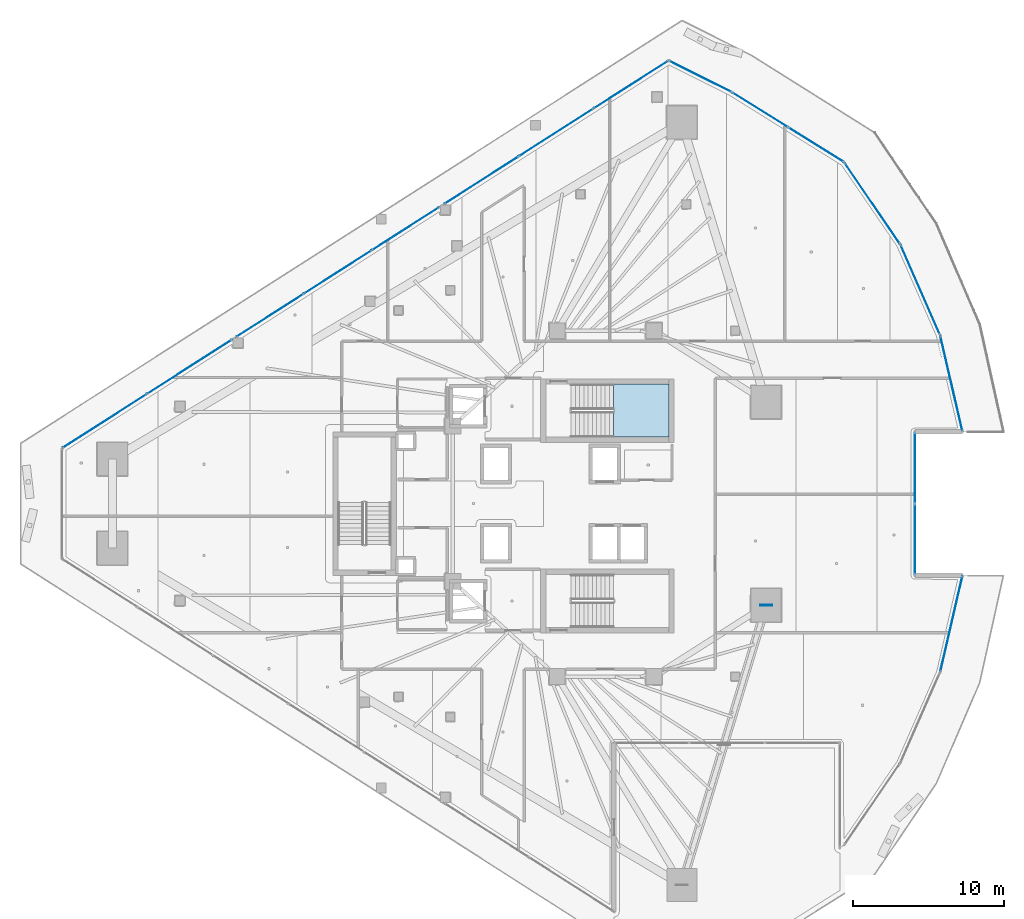
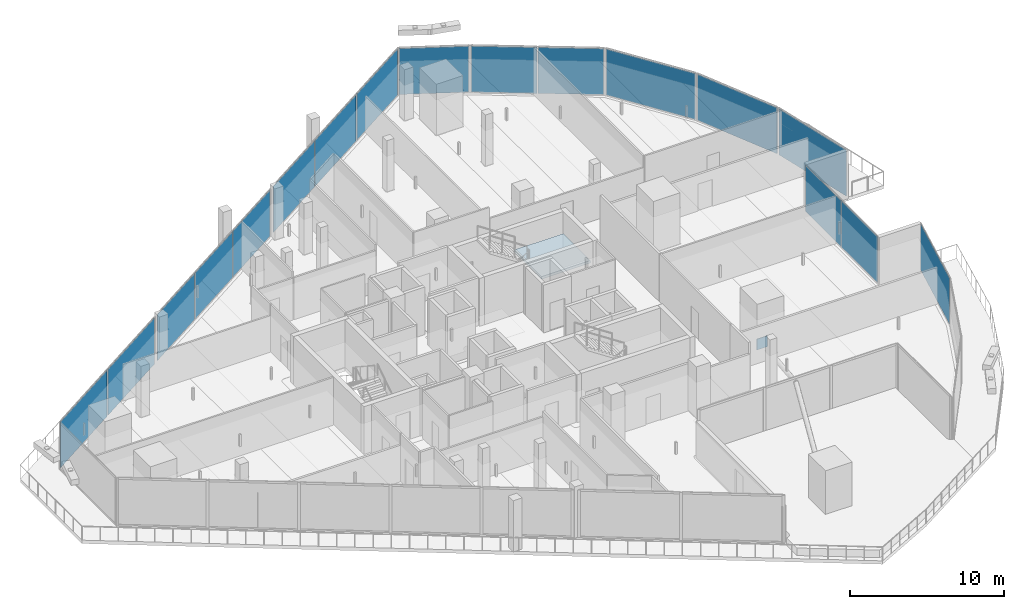
# One storey, part 25 of 38: 18 plates, 1 slab, 11 elements without a shape of their own.
"""IFC4 building model written with IfcOpenShell, lengths in metres."""

import ifcopenshell
import ifcopenshell.guid

model = None  # the IFC model being written
_history = None  # IfcOwnerHistory: only IFC2X3 demands one
_inside = {}  # id of a spatial element -> (the spatial element, [elements in it])
_under = {}  # id of a project, library or spatial element -> (it, [spatial elements below it])
_declared = {}  # id of a project -> (the project, [libraries it declares])
_typed = {}  # id of a type object -> (the type object, [elements of that type])
_made_of = {}  # id of a material, layer set ... -> (it, [elements and type objects made of it])


def new_model(schema):
    """Start an empty IFC model of exactly this schema.

    Asked for "IFC4X3", IfcOpenShell would pick the latest addendum, in which some entities
    have other attributes; the version numbers below select the first issue.
    IFC2X3 requires an IfcOwnerHistory on every rooted entity: one is made here for all.
    """
    global model, _history
    if schema == "IFC4X3":
        model = ifcopenshell.file(schema_version=(4, 3, 0, 0))
    else:
        model = ifcopenshell.file(schema=schema)
    _inside.clear()
    _under.clear()
    _declared.clear()
    _typed.clear()
    _made_of.clear()
    _history = None
    if model.schema == "IFC2X3":
        org = make("IfcOrganization", Name="unknown")
        user = make(
            "IfcPersonAndOrganization",
            ThePerson=make("IfcPerson", FamilyName="unknown"),
            TheOrganization=org,
        )
        app = make(
            "IfcApplication",
            ApplicationDeveloper=org,
            Version="unknown",
            ApplicationFullName="unknown",
            ApplicationIdentifier="unknown",
        )
        _history = make(
            "IfcOwnerHistory",
            OwningUser=user,
            OwningApplication=app,
            ChangeAction="ADDED",
            CreationDate=0,
        )
    return model


def make(cls, **values):
    """One entity of the class cls with the attributes given. An attribute that is None is left unset."""
    return model.create_entity(
        cls, **{name: value for name, value in values.items() if value is not None}
    )


def rooted(cls, **values):
    """An entity with a GlobalId (a new one), such as an element, a storey or a relation."""
    return make(cls, GlobalId=ifcopenshell.guid.new(), OwnerHistory=_history, **values)


def si_unit(unit_type, name, prefix=None):
    """IfcSIUnit, for example si_unit("LENGTHUNIT", "METRE", prefix="MILLI")."""
    return make("IfcSIUnit", UnitType=unit_type, Prefix=prefix, Name=name)


def assignment(units):
    """IfcUnitAssignment: the units of a project."""
    return None if units is None else make("IfcUnitAssignment", Units=units)


def point(xyz):
    """IfcCartesianPoint."""
    return None if xyz is None else make("IfcCartesianPoint", Coordinates=xyz)


def direction(xyz):
    """IfcDirection."""
    return None if xyz is None else make("IfcDirection", DirectionRatios=xyz)


def frame(location, z_axis=None, x_axis=None):
    """IfcAxis2Placement3D, a coordinate frame: its origin and axes. An axis left out is left unset."""
    return make(
        "IfcAxis2Placement3D",
        Location=point(location),
        Axis=direction(z_axis),
        RefDirection=direction(x_axis),
    )


def frame_2d(location, x_axis=None):
    """IfcAxis2Placement2D, a coordinate frame in the plane: its origin and x axis."""
    return make(
        "IfcAxis2Placement2D", Location=point(location), RefDirection=direction(x_axis)
    )


def origin():
    """The frame at (0, 0, 0) with its axes left unset."""
    return frame((0.0, 0.0, 0.0))


def origin_2d():
    """The frame at (0, 0) in the plane with its x axis left unset."""
    return frame_2d((0.0, 0.0))


def place(relative_to, where):
    """IfcLocalPlacement: puts the frame where relative to a parent placement (None: the world)."""
    return make(
        "IfcLocalPlacement", PlacementRelTo=relative_to, RelativePlacement=where
    )


def context(
    kind, dimensions, precision=None, world=None, true_north=None, identifier=None
):
    """IfcGeometricRepresentationContext, for example the 3D "Model" context."""
    return make(
        "IfcGeometricRepresentationContext",
        ContextIdentifier=identifier,
        ContextType=kind,
        CoordinateSpaceDimension=dimensions,
        Precision=precision,
        WorldCoordinateSystem=world,
        TrueNorth=true_north,
    )


def subcontext(parent, identifier, kind, view, scale=None):
    """IfcGeometricRepresentationSubContext, for example "Body" below "Model"."""
    return make(
        "IfcGeometricRepresentationSubContext",
        ContextIdentifier=identifier,
        ContextType=kind,
        ParentContext=parent,
        TargetScale=scale,
        TargetView=view,
    )


def project(units=None, contexts=None):
    """IfcProject with its units and contexts."""
    return rooted(
        "IfcProject",
        Name="project",
        RepresentationContexts=contexts,
        UnitsInContext=assignment(units),
    )


def spatial(cls, under=None, at=None, **own):
    """A site, building, storey or space (cls), placed at a placement, below another one or the project."""
    s = rooted(cls, ObjectPlacement=at, **own)
    if under is not None:
        _under.setdefault(under.id(), (under, []))[1].append(s)
    return s


def polyline(points):
    """IfcPolyline through the points."""
    return make("IfcPolyline", Points=[point(p) for p in points])


def profile(cls, at=None, kind="AREA", **sizes):
    """A parametric profile (cls). Its sizes go by their IFC names, for example OverallWidth=200.0."""
    return make(cls, ProfileType=kind, Position=at, **sizes)


def rectangle(**sizes):
    """IfcRectangleProfileDef."""
    return profile("IfcRectangleProfileDef", **sizes)


def outline(outer, holes=None, kind="AREA"):
    """IfcArbitraryClosedProfileDef: a profile drawn as a closed curve; with holes, ...WithVoids."""
    if holes is None:
        return make("IfcArbitraryClosedProfileDef", ProfileType=kind, OuterCurve=outer)
    return make(
        "IfcArbitraryProfileDefWithVoids",
        ProfileType=kind,
        OuterCurve=outer,
        InnerCurves=holes,
    )


def extrude(swept, where, along, depth):
    """IfcExtrudedAreaSolid: the profile swept, set in the frame where, extruded along a direction by depth."""
    return make(
        "IfcExtrudedAreaSolid",
        SweptArea=swept,
        Position=where,
        ExtrudedDirection=direction(along),
        Depth=depth,
    )


def shape(context_of_items, identifier, shape_type, items):
    """IfcShapeRepresentation: the items that make up one representation, for example the "Body"."""
    return make(
        "IfcShapeRepresentation",
        ContextOfItems=context_of_items,
        RepresentationIdentifier=identifier,
        RepresentationType=shape_type,
        Items=items,
    )


def material(Name=None, Category=None):
    """IfcMaterial."""
    return make("IfcMaterial", Name=Name, Category=Category)


def layer(
    of_material, thickness, ventilated=None, Name=None, Category=None, Priority=None
):
    """IfcMaterialLayer: one layer of a wall or slab, of a material (None: an air gap)."""
    return make(
        "IfcMaterialLayer",
        Material=of_material,
        LayerThickness=thickness,
        IsVentilated=ventilated,
        Name=Name,
        Category=Category,
        Priority=Priority,
    )


def layer_set(layers, Name=None):
    """IfcMaterialLayerSet."""
    return make("IfcMaterialLayerSet", MaterialLayers=layers, LayerSetName=Name)


def made_of(thing, what):
    """Note that an element or type object is made of a material, layer set ...; save() writes the relation."""
    if what is not None:
        _made_of.setdefault(what.id(), (what, []))[1].append(thing)
    return thing


def type_object(cls, material=None, **own):
    """A type object (cls), such as IfcWallType, which elements share."""
    return made_of(rooted(cls, **own), material)


def element(
    cls,
    number,
    at=None,
    inside=None,
    cuts=None,
    type_object=None,
    material=None,
    context=None,
    identifier="Body",
    shape_type=None,
    held_by="IfcProductDefinitionShape",
    body=None,
    shapes=None,
    **own,
):
    """One element of the class cls, such as IfcWall. Its Tag is "e" and its number.

    at: its placement. inside: the storey or other place that contains it. cuts: it is an
    opening in that element (IfcRelVoidsElement). A single representation is given by context,
    identifier, shape_type and body (its items); several are given by shapes. held_by: the class
    of the entity that holds the representations. save() writes the other relations.
    """
    e = rooted(cls, Tag="e%d" % number, ObjectPlacement=at, **own)
    if body is not None:
        shapes = [shape(context, identifier, shape_type, body)]
    if shapes is not None:
        e.Representation = make(held_by, Representations=shapes)
    if inside is not None:
        _inside.setdefault(inside.id(), (inside, []))[1].append(e)
    if cuts is not None:
        rooted(
            "IfcRelVoidsElement", RelatingBuildingElement=cuts, RelatedOpeningElement=e
        )
    if type_object is not None:
        _typed.setdefault(type_object.id(), (type_object, []))[1].append(e)
    return made_of(e, material)


def aggregate(whole, parts):
    """IfcRelAggregates: a whole, such as a stair, and the parts it consists of."""
    return rooted("IfcRelAggregates", RelatingObject=whole, RelatedObjects=parts)


def save(model, path):
    """Write the relations noted so far, then the file.

    IfcRelAggregates (storeys below a building ...), IfcRelContainedInSpatialStructure (elements
    in a storey), IfcRelDefinesByType, IfcRelAssociatesMaterial and IfcRelDeclares: one each for
    every whole, place, type object, material and project.
    """
    for whole, parts in _under.values():
        aggregate(whole, parts)
    for where, things in _inside.values():
        rooted(
            "IfcRelContainedInSpatialStructure",
            RelatedElements=things,
            RelatingStructure=where,
        )
    for kind, things in _typed.values():
        rooted("IfcRelDefinesByType", RelatedObjects=things, RelatingType=kind)
    for what, things in _made_of.values():
        rooted("IfcRelAssociatesMaterial", RelatedObjects=things, RelatingMaterial=what)
    for by, libraries in _declared.values():
        rooted("IfcRelDeclares", RelatingContext=by, RelatedDefinitions=libraries)
    model.write(path)


model = new_model("IFC4")

# Units and contexts
model_context = context("Model", 3, precision=1e-05, world=origin(), true_north=direction((0.0, 1.0)))
body_context = subcontext(model_context, "Body", "Model", "MODEL_VIEW")
ifc_project = project(units=[si_unit("LENGTHUNIT", "METRE"), si_unit("AREAUNIT", "SQUARE_METRE"), si_unit("VOLUMEUNIT", "CUBIC_METRE"), si_unit("PLANEANGLEUNIT", "RADIAN"), si_unit("MASSUNIT", "GRAM", prefix="KILO")], contexts=[model_context])

# Site, building, storey
site_placement = place(None, origin())
site = spatial("IfcSite", under=ifc_project, at=site_placement, CompositionType="ELEMENT")
building_placement = place(site_placement, origin())
building = spatial("IfcBuilding", under=site, at=building_placement, Name="Qorvath Tower", CompositionType="ELEMENT")
storey_placement = place(building_placement, frame((0.0, 0.0, 158.39990234375)))
storey = spatial("IfcBuildingStorey", under=building, at=storey_placement, Name="L36", CompositionType="ELEMENT", Elevation=158.39990234375)

# Curtain wall, plate
ifc_material_1 = material(Name="Anodised aluminium and triple low-E glass", Category="aluminium")
ifc_layer_1 = layer(ifc_material_1, 0.179931640625)
ifc_layer_set_1 = layer_set([ifc_layer_1], Name="CW-SYS-5")
curtain_wall_type = type_object("IfcCurtainWallType", Name="CW-SYS-5", PredefinedType="NOTDEFINED", material=ifc_layer_set_1)
curtain_wall_1_placement = place(storey_placement, origin())
curtain_wall_1 = element("IfcCurtainWall", 1, at=curtain_wall_1_placement, inside=storey, type_object=curtain_wall_type, Name="Curtain Wall CW-5 CW-T-L36-7.1", PredefinedType="NOTDEFINED")
ifc_material_2 = material(Name="Low-E triple insulated glass", Category="glass")
ifc_layer_2 = layer(ifc_material_2, 0.031982421875)
ifc_layer_set_2 = layer_set([ifc_layer_2], Name="CWP-GLZ-32")
plate_type_1 = type_object("IfcPlateType", Name="CWP-GLZ-32", PredefinedType="CURTAIN_PANEL", material=ifc_layer_set_2)
plate_1_placement = place(storey_placement, frame((2.50439453125, -7.95263671875, 0.06494140625), z_axis=(0.0, 0.0, 1.0), x_axis=(0.225758614319, 0.974183272316, 0.0)))
plate_1 = element("IfcPlate", 2, at=plate_1_placement, type_object=plate_type_1, Name="CW-5 panel 1.1", PredefinedType="CURTAIN_PANEL", context=body_context, shape_type="SweptSolid", body=[
    extrude(rectangle(XDim=6.420654296875, YDim=0.031982421875, at=origin_2d()), origin(), (0.0, 0.0, 1.0), 3.64990234375),
])
aggregate(curtain_wall_1, [plate_1])

# Curtain wall, plates
curtain_wall_2_placement = place(storey_placement, origin())
curtain_wall_2 = element("IfcCurtainWall", 3, at=curtain_wall_2_placement, inside=storey, type_object=curtain_wall_type, Name="Curtain Wall CW-5 CW-T-L36-9.1", PredefinedType="NOTDEFINED")
plate_2_placement = place(storey_placement, frame((0.077880859375, -2.357177734375, 0.06494140625), z_axis=(0.0, 0.0, 1.0), x_axis=(0.0, 1.0, 0.0)))
plate_2 = element("IfcPlate", 4, at=plate_2_placement, type_object=plate_type_1, Name="CW-5 panel 1.1", PredefinedType="CURTAIN_PANEL", context=body_context, shape_type="SweptSolid", body=[
    extrude(rectangle(XDim=4.639404296875, YDim=0.031982421875, at=origin_2d()), origin(), (0.0, 0.0, 1.0), 3.64990234375),
])
plate_3_placement = place(storey_placement, frame((0.077880859375, 2.357177734375, 0.06494140625), z_axis=(0.0, 0.0, 1.0), x_axis=(0.0, 1.0, 0.0)))
plate_3 = element("IfcPlate", 5, at=plate_3_placement, type_object=plate_type_1, Name="CW-5 panel 2.1", PredefinedType="CURTAIN_PANEL", context=body_context, shape_type="SweptSolid", body=[
    extrude(rectangle(XDim=4.639404296875, YDim=0.031982421875, at=origin_2d()), origin(), (0.0, 0.0, 1.0), 3.64990234375),
])
aggregate(curtain_wall_2, [plate_2, plate_3])

# Curtain wall, plate
curtain_wall_3_placement = place(storey_placement, origin())
curtain_wall_3 = element("IfcCurtainWall", 6, at=curtain_wall_3_placement, inside=storey, type_object=curtain_wall_type, Name="Curtain Wall CW-5 CW-T-L36-11.1", PredefinedType="NOTDEFINED")
plate_4_placement = place(storey_placement, frame((2.50439453125, 7.95263671875, 0.06494140625), z_axis=(0.0, 0.0, 1.0), x_axis=(-0.225758614319, 0.974183272316, 0.0)))
plate_4 = element("IfcPlate", 7, at=plate_4_placement, type_object=plate_type_1, Name="CW-5 panel 1.1", PredefinedType="CURTAIN_PANEL", context=body_context, shape_type="SweptSolid", body=[
    extrude(rectangle(XDim=6.420654296875, YDim=0.031982421875, at=origin_2d()), origin(), (0.0, 0.0, 1.0), 3.64990234375),
])
aggregate(curtain_wall_3, [plate_4])

curtain_wall_4_placement = place(storey_placement, origin())
curtain_wall_4 = element("IfcCurtainWall", 8, at=curtain_wall_4_placement, inside=storey, type_object=curtain_wall_type, Name="Curtain Wall CW-5 CW-T-L36-12.1", PredefinedType="NOTDEFINED")
plate_5_placement = place(storey_placement, frame((0.442138671875, 14.161376953125, 0.06494140625), z_axis=(0.0, 0.0, 1.0), x_axis=(-0.401947425802, 0.915662747354, 0.0)))
plate_5 = element("IfcPlate", 9, at=plate_5_placement, type_object=plate_type_1, Name="CW-5 panel 1.1", PredefinedType="CURTAIN_PANEL", context=body_context, shape_type="SweptSolid", body=[
    extrude(rectangle(XDim=6.420654296875, YDim=0.031982421875, at=origin_2d()), origin(), (0.0, 0.0, 1.0), 3.64990234375),
])
aggregate(curtain_wall_4, [plate_5])

curtain_wall_5_placement = place(storey_placement, origin())
curtain_wall_5 = element("IfcCurtainWall", 10, at=curtain_wall_5_placement, inside=storey, type_object=curtain_wall_type, Name="Curtain Wall CW-5 CW-T-L36-13.1", PredefinedType="NOTDEFINED")
plate_6_placement = place(storey_placement, frame((-2.732421875, 19.8818359375, 0.06494140625), z_axis=(0.0, 0.0, 1.0), x_axis=(-0.564314480802, 0.825559911065, 0.0)))
plate_6 = element("IfcPlate", 11, at=plate_6_placement, type_object=plate_type_1, Name="CW-5 panel 1.1", PredefinedType="CURTAIN_PANEL", context=body_context, shape_type="SweptSolid", body=[
    extrude(rectangle(XDim=6.42041015625, YDim=0.031982421875, at=origin_2d()), origin(), (0.0, 0.0, 1.0), 3.64990234375),
])
aggregate(curtain_wall_5, [plate_6])

# Curtain wall, plates
curtain_wall_6_placement = place(storey_placement, origin())
curtain_wall_6 = element("IfcCurtainWall", 12, at=curtain_wall_6_placement, inside=storey, type_object=curtain_wall_type, Name="Curtain Wall CW-5 CW-T-L36-14.1", PredefinedType="NOTDEFINED")
plate_7_placement = place(storey_placement, frame((-6.46337890625, 23.765380859375, 0.06494140625), z_axis=(0.0, 0.0, 1.0), x_axis=(-0.848382203803, 0.52938420478, 0.0)))
plate_7 = element("IfcPlate", 13, at=plate_7_placement, type_object=plate_type_1, Name="CW-5 panel 1.1", PredefinedType="CURTAIN_PANEL", context=body_context, shape_type="SweptSolid", body=[
    extrude(rectangle(XDim=4.275146484375, YDim=0.031982421875, at=origin_2d()), origin(), (0.0, 0.0, 1.0), 3.64990234375),
])
plate_8_placement = place(storey_placement, frame((-10.15380859375, 26.068115234375, 0.06494140625), z_axis=(0.0, 0.0, 1.0), x_axis=(-0.848382203803, 0.52938420478, 0.0)))
plate_8 = element("IfcPlate", 14, at=plate_8_placement, type_object=plate_type_1, Name="CW-5 panel 2.1", PredefinedType="CURTAIN_PANEL", context=body_context, shape_type="SweptSolid", body=[
    extrude(rectangle(XDim=4.275146484375, YDim=0.031982421875, at=origin_2d()), origin(), (0.0, 0.0, 1.0), 3.64990234375),
])
aggregate(curtain_wall_6, [plate_7, plate_8])

# Curtain wall, plate
curtain_wall_7_placement = place(storey_placement, origin())
curtain_wall_7 = element("IfcCurtainWall", 15, at=curtain_wall_7_placement, inside=storey, type_object=curtain_wall_type, Name="Curtain Wall CW-5 CW-T-L36-15.1", PredefinedType="NOTDEFINED")
plate_9_placement = place(storey_placement, frame((-14.12646484375, 28.287109375, 0.06494140625), z_axis=(0.0, 0.0, 1.0), x_axis=(-0.894439996707, 0.447187983169, 0.0)))
plate_9 = element("IfcPlate", 16, at=plate_9_placement, type_object=plate_type_1, Name="CW-5 panel 1.1", PredefinedType="CURTAIN_PANEL", context=body_context, shape_type="SweptSolid", body=[
    extrude(rectangle(XDim=4.53515625, YDim=0.031982421875, at=origin_2d()), origin(), (0.0, 0.0, 1.0), 3.64990234375),
])
aggregate(curtain_wall_7, [plate_9])

# Curtain wall, plates
curtain_wall_8_placement = place(storey_placement, origin())
curtain_wall_8 = element("IfcCurtainWall", 17, at=curtain_wall_8_placement, inside=storey, type_object=curtain_wall_type, Name="Curtain Wall CW-5 CW-T-L36-16.1", PredefinedType="NOTDEFINED")
plate_10_placement = place(storey_placement, frame((-18.7158203125, 27.740478515625, 0.06494140625), z_axis=(0.0, 0.0, 1.0), x_axis=(-0.842600128752, -0.53853971351, 0.0)))
plate_10 = element("IfcPlate", 18, at=plate_10_placement, type_object=plate_type_1, Name="CW-5 panel 1.1", PredefinedType="CURTAIN_PANEL", context=body_context, shape_type="SweptSolid", body=[
    extrude(rectangle(XDim=5.770263671875, YDim=0.031982421875, at=origin_2d()), origin(), (0.0, 0.0, 1.0), 3.64990234375),
])
plate_11_placement = place(storey_placement, frame((-23.656982421875, 24.58251953125, 0.06494140625), z_axis=(0.0, 0.0, 1.0), x_axis=(-0.842600128752, -0.53853971351, 0.0)))
plate_11 = element("IfcPlate", 19, at=plate_11_placement, type_object=plate_type_1, Name="CW-5 panel 2.1", PredefinedType="CURTAIN_PANEL", context=body_context, shape_type="SweptSolid", body=[
    extrude(rectangle(XDim=5.807861328125, YDim=0.031982421875, at=origin_2d()), origin(), (0.0, 0.0, 1.0), 3.64990234375),
])
plate_12_placement = place(storey_placement, frame((-28.59814453125, 21.424560546875, 0.06494140625), z_axis=(0.0, 0.0, 1.0), x_axis=(-0.842600128752, -0.53853971351, 0.0)))
plate_12 = element("IfcPlate", 20, at=plate_12_placement, type_object=plate_type_1, Name="CW-5 panel 3.1", PredefinedType="CURTAIN_PANEL", context=body_context, shape_type="SweptSolid", body=[
    extrude(rectangle(XDim=5.770263671875, YDim=0.031982421875, at=origin_2d()), origin(), (0.0, 0.0, 1.0), 3.64990234375),
])
aggregate(curtain_wall_8, [plate_10, plate_11, plate_12])

curtain_wall_9_placement = place(storey_placement, origin())
curtain_wall_9 = element("IfcCurtainWall", 21, at=curtain_wall_9_placement, inside=storey, type_object=curtain_wall_type, Name="Curtain Wall CW-5 CW-T-L36-16.2", PredefinedType="NOTDEFINED")
plate_13_placement = place(storey_placement, frame((-33.649658203125, 18.19580078125, 0.06494140625), z_axis=(0.0, 0.0, 1.0), x_axis=(-0.842600271273, -0.53853949052, 0.0)))
plate_13 = element("IfcPlate", 22, at=plate_13_placement, type_object=plate_type_1, Name="CW-5 panel 1.1", PredefinedType="CURTAIN_PANEL", context=body_context, shape_type="SweptSolid", body=[
    extrude(rectangle(XDim=5.22314453125, YDim=0.031982421875, at=origin_2d()), origin(), (0.0, 0.0, 1.0), 3.64990234375),
])
plate_14_placement = place(storey_placement, frame((-38.129638671875, 15.33251953125, 0.06494140625), z_axis=(0.0, 0.0, 1.0), x_axis=(-0.842600271273, -0.53853949052, 0.0)))
plate_14 = element("IfcPlate", 23, at=plate_14_placement, type_object=plate_type_1, Name="CW-5 panel 2.1", PredefinedType="CURTAIN_PANEL", context=body_context, shape_type="SweptSolid", body=[
    extrude(rectangle(XDim=5.2607421875, YDim=0.031982421875, at=origin_2d()), origin(), (0.0, 0.0, 1.0), 3.64990234375),
])
plate_15_placement = place(storey_placement, frame((-42.60986328125, 12.468994140625, 0.06494140625), z_axis=(0.0, 0.0, 1.0), x_axis=(-0.842600271273, -0.53853949052, 0.0)))
plate_15 = element("IfcPlate", 24, at=plate_15_placement, type_object=plate_type_1, Name="CW-5 panel 3.1", PredefinedType="CURTAIN_PANEL", context=body_context, shape_type="SweptSolid", body=[
    extrude(rectangle(XDim=5.22314453125, YDim=0.031982421875, at=origin_2d()), origin(), (0.0, 0.0, 1.0), 3.64990234375),
])
aggregate(curtain_wall_9, [plate_13, plate_14, plate_15])

curtain_wall_10_placement = place(storey_placement, origin())
curtain_wall_10 = element("IfcCurtainWall", 25, at=curtain_wall_10_placement, inside=storey, type_object=curtain_wall_type, Name="Curtain Wall CW-5 CW-T-L36-16.3", PredefinedType="NOTDEFINED")
plate_16_placement = place(storey_placement, frame((-47.94091796875, 9.061767578125, 0.06494140625), z_axis=(0.0, 0.0, 1.0), x_axis=(-0.84260725382, -0.538528565454, 0.0)))
plate_16 = element("IfcPlate", 26, at=plate_16_placement, type_object=plate_type_1, Name="CW-5 panel 1.1", PredefinedType="CURTAIN_PANEL", context=body_context, shape_type="SweptSolid", body=[
    extrude(rectangle(XDim=6.57861328125, YDim=0.031982421875, at=origin_2d()), origin(), (0.0, 0.0, 1.0), 3.64990234375),
])
plate_17_placement = place(storey_placement, frame((-53.54736328125, 5.478515625, 0.06494140625), z_axis=(0.0, 0.0, 1.0), x_axis=(-0.84260725382, -0.538528565454, 0.0)))
plate_17 = element("IfcPlate", 27, at=plate_17_placement, type_object=plate_type_1, Name="CW-5 panel 2.1", PredefinedType="CURTAIN_PANEL", context=body_context, shape_type="SweptSolid", body=[
    extrude(rectangle(XDim=6.57861328125, YDim=0.031982421875, at=origin_2d()), origin(), (0.0, 0.0, 1.0), 3.64990234375),
])
aggregate(curtain_wall_10, [plate_16, plate_17])

# Plate
ifc_material_3 = material(Name="Steel ASTM A572 Grade 50", Category="steel")
ifc_layer_3 = layer(ifc_material_3, 0.054931640625)
ifc_layer_set_3 = layer_set([ifc_layer_3], Name="PL-MBN1")
plate_type_2 = type_object("IfcPlateType", Name="PL-MBN1", PredefinedType="USERDEFINED", material=ifc_layer_set_3)
plate_18_placement = place(storey_placement, frame((-9.770263671875, -6.721435546875, -0.425048828125), z_axis=(0.0, 0.0, 1.0), x_axis=(1.0, 0.0, 0.0)))
element("IfcPlate", 28, at=plate_18_placement, inside=storey, type_object=plate_type_2, Name="Brace Strut End Gusset Plate NDBG-144", ObjectType="GUSSET", PredefinedType="USERDEFINED", context=body_context, shape_type="SweptSolid", body=[
    extrude(rectangle(XDim=0.800048828125, YDim=0.054931640625, at=origin_2d()), origin(), (0.0, 0.0, 1.0), 0.85009765625),
])

# Stair, slab
ifc_material_4 = material(Name="Concrete C50/60", Category="concrete")
stair_type = type_object("IfcStairType", Name="ST-H405", PredefinedType="HALF_TURN_STAIR", material=ifc_material_4)
stair_placement = place(storey_placement, origin())
stair = element("IfcStair", 29, at=stair_placement, inside=storey, type_object=stair_type, Name="L36 Tower Exit Stair 1", PredefinedType="HALF_TURN_STAIR")
ifc_material_5 = material(Name="Concrete C50/60", Category="concrete")
ifc_layer_4 = layer(ifc_material_5, 0.199951171875)
ifc_layer_set_4 = layer_set([ifc_layer_4], Name="SL-LND-200")
slab_type = type_object("IfcSlabType", Name="SL-LND-200", PredefinedType="LANDING", material=ifc_layer_set_4)
slab_placement = place(storey_placement, frame((0.0, 0.0, 1.8251953125)))
slab = element("IfcSlab", 30, at=slab_placement, type_object=slab_type, Name="TS1 landing 1", PredefinedType="LANDING", context=body_context, shape_type="SweptSolid", body=[
    extrude(outline(polyline([(-19.8701171875, 4.39990234375), (-16.199951171875, 4.39990234375), (-16.199951171875, 7.909912109375), (-19.8701171875, 7.909912109375), (-19.8701171875, 4.39990234375)])), origin(), (0.0, 0.0, 1.0), 0.199951171875),
])
aggregate(stair, [slab])

save(model, "model.ifc")
